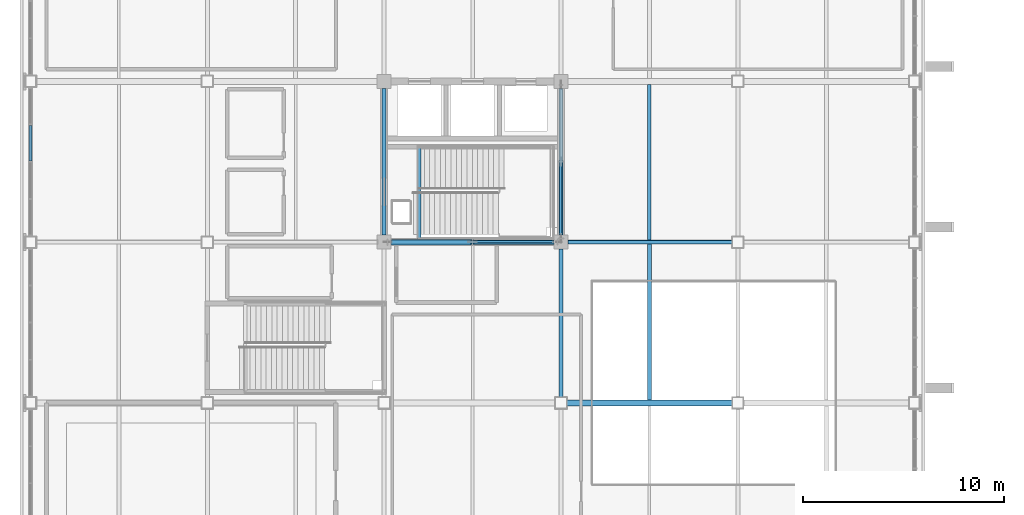
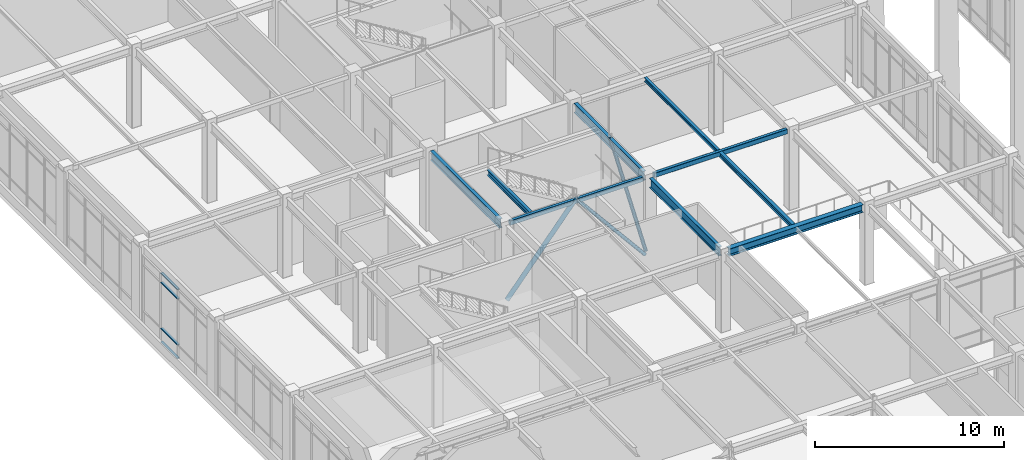
# One storey, part 37 of 184: 9 beams, 7 members, 1 element without a shape of its own.
"""IFC4 building model written with IfcOpenShell, lengths in metres."""

from ifc_helpers import new_model, si_unit, direction, frame, origin, origin_2d, place, context, subcontext, project, spatial, rectangle, hollow_rectangle, hollow_circle, i_section, extrude, material, material_profile, profile_set, type_object, element, aggregate, save


model = new_model("IFC4")

# Units and contexts
model_context = context("Model", 3, precision=1e-05, world=origin(), true_north=direction((0.0, 1.0)))
body_context = subcontext(model_context, "Body", "Model", "MODEL_VIEW")
ifc_project = project(units=[si_unit("LENGTHUNIT", "METRE"), si_unit("AREAUNIT", "SQUARE_METRE"), si_unit("VOLUMEUNIT", "CUBIC_METRE"), si_unit("PLANEANGLEUNIT", "RADIAN"), si_unit("MASSUNIT", "GRAM", prefix="KILO")], contexts=[model_context])

# Site, building, storey
site_placement = place(None, origin())
site = spatial("IfcSite", under=ifc_project, at=site_placement, CompositionType="ELEMENT")
building_placement = place(site_placement, origin())
building = spatial("IfcBuilding", under=site, at=building_placement, Name="Zhaolan Boulevard Law Courts", CompositionType="ELEMENT")
storey_placement = place(building_placement, frame((0.0, 0.0, 5.39990234375)))
storey = spatial("IfcBuildingStorey", under=building, at=storey_placement, Name="L01", CompositionType="ELEMENT", Elevation=5.39990234375)

# Members
ifc_material_1 = material(Name="Structural steel Q355B", Category="steel")
ifc_material_profile_1 = material_profile(ifc_material_1, hollow_circle(Radius=0.109619140625, WallThickness=0.008056640625, at=origin_2d()), Name="CHS219x8")
ifc_profile_set_1 = profile_set([ifc_material_profile_1], Name="Structural steel Q355B")
member_type_1 = type_object("IfcMemberType", Name="BRACE CHS219", PredefinedType="BRACE", material=ifc_profile_set_1)
member_1_placement = place(storey_placement, frame((26.219970703125, 46.0, 0.030029296875), z_axis=(-0.638239277889, 0.0, 0.769838050605), x_axis=(0.0, -1.0, 0.0)))
element("IfcMember", 1, at=member_1_placement, inside=storey, type_object=member_type_1, Name="Core Brace BR-W1-L01-S2", PredefinedType="BRACE", context=body_context, shape_type="SweptSolid", body=[
    extrude(hollow_circle(Radius=0.109619140625, WallThickness=0.008056640625, at=origin_2d()), origin(), (0.0, 0.0, 1.0), 6.61181640625),
])
member_2_placement = place(storey_placement, frame((26.39990234375, 46.179931640625, 0.030029296875), z_axis=(0.0, 0.600251625626, 0.799811218935), x_axis=(-1.0, 0.0, 0.0)))
element("IfcMember", 2, at=member_2_placement, inside=storey, type_object=member_type_1, Name="Core Brace BR-W1-L01-E1", PredefinedType="BRACE", context=body_context, shape_type="SweptSolid", body=[
    extrude(hollow_circle(Radius=0.109619140625, WallThickness=0.008056640625, at=origin_2d()), origin(), (0.0, 0.0, 1.0), 6.364013671875),
])
ifc_material_2 = material(Name="Structural steel Q355B", Category="steel")
ifc_material_profile_2 = material_profile(ifc_material_2, hollow_circle(Radius=0.136474609375, WallThickness=0.010009765625, at=origin_2d()), Name="CHS273x10")
ifc_profile_set_2 = profile_set([ifc_material_profile_2], Name="Structural steel Q355B")
member_type_2 = type_object("IfcMemberType", Name="BRACE CHS273", PredefinedType="BRACE", material=ifc_profile_set_2)
member_3_placement = place(storey_placement, frame((17.780029296875, 46.0, 0.030029296875), z_axis=(0.638239277889, 0.0, 0.769838050605), x_axis=(0.0, 1.0, 0.0)))
element("IfcMember", 3, at=member_3_placement, inside=storey, type_object=member_type_2, Name="Core Brace BR-W1-L01-S1", PredefinedType="BRACE", context=body_context, shape_type="SweptSolid", body=[
    extrude(hollow_circle(Radius=0.136474609375, WallThickness=0.010009765625, at=origin_2d()), origin(), (0.0, 0.0, 1.0), 6.61181640625),
])

# Curtain wall, members
ifc_material_3 = material(Name="Thermally broken aluminium and low-E glazing", Category="aluminium")
curtain_wall_type = type_object("IfcCurtainWallType", Name="CURTAIN WALL M21", PredefinedType="USERDEFINED", material=ifc_material_3)
curtain_wall_placement = place(storey_placement, origin())
curtain_wall = element("IfcCurtainWall", 4, at=curtain_wall_placement, inside=storey, type_object=curtain_wall_type, Name="Curtain Wall CW-L01-141", ObjectType="CURTAIN WALL", PredefinedType="USERDEFINED")
ifc_material_4 = material(Name="Fluorocarbon-coated aluminium 6063-T6", Category="aluminium")
ifc_material_profile_3 = material_profile(ifc_material_4, rectangle(XDim=0.139892578125, YDim=0.06494140625, at=origin_2d()), Name="AL65x140")
ifc_profile_set_3 = profile_set([ifc_material_profile_3], Name="Fluorocarbon-coated aluminium 6063-T6")
member_type_3 = type_object("IfcMemberType", Name="CWTRANSOM 65X140", PredefinedType="USERDEFINED", material=ifc_profile_set_3)
member_4_placement = place(storey_placement, frame((0.0, 51.81640625, 0.03271484375), z_axis=(0.0, -1.0, 0.0), x_axis=(1.0, 0.0, 0.0)))
member_4 = element("IfcMember", 5, at=member_4_placement, type_object=member_type_3, Name="CW-L01-141 transom 2.1", ObjectType="TRANSOM", PredefinedType="USERDEFINED", context=body_context, shape_type="SweptSolid", body=[
    extrude(rectangle(XDim=0.139892578125, YDim=0.06494140625, at=origin_2d()), origin(), (0.0, 0.0, 1.0), 1.783935546875),
])
member_5_placement = place(storey_placement, frame((0.0, 51.81640625, 0.900146484375), z_axis=(0.0, -1.0, 0.0), x_axis=(1.0, 0.0, 0.0)))
member_5 = element("IfcMember", 6, at=member_5_placement, type_object=member_type_3, Name="CW-L01-141 transom 2.2", ObjectType="TRANSOM", PredefinedType="USERDEFINED", context=body_context, shape_type="SweptSolid", body=[
    extrude(rectangle(XDim=0.139892578125, YDim=0.06494140625, at=origin_2d()), origin(), (0.0, 0.0, 1.0), 1.783935546875),
])
member_6_placement = place(storey_placement, frame((0.0, 51.81640625, 3.873046875), z_axis=(0.0, -1.0, 0.0), x_axis=(1.0, 0.0, 0.0)))
member_6 = element("IfcMember", 7, at=member_6_placement, type_object=member_type_3, Name="CW-L01-141 transom 2.3", ObjectType="TRANSOM", PredefinedType="USERDEFINED", context=body_context, shape_type="SweptSolid", body=[
    extrude(rectangle(XDim=0.139892578125, YDim=0.06494140625, at=origin_2d()), origin(), (0.0, 0.0, 1.0), 1.783935546875),
])
member_7_placement = place(storey_placement, frame((0.0, 51.81640625, 4.490478515625), z_axis=(0.0, -1.0, 0.0), x_axis=(1.0, 0.0, 0.0)))
member_7 = element("IfcMember", 8, at=member_7_placement, type_object=member_type_3, Name="CW-L01-141 transom 2.4", ObjectType="TRANSOM", PredefinedType="USERDEFINED", context=body_context, shape_type="SweptSolid", body=[
    extrude(rectangle(XDim=0.139892578125, YDim=0.06494140625, at=origin_2d()), origin(), (0.0, 0.0, 1.0), 1.783935546875),
])
aggregate(curtain_wall, [member_4, member_5, member_6, member_7])

# Beams
ifc_material_5 = material(Name="Structural steel Q355B", Category="steel")
ifc_material_profile_4 = material_profile(ifc_material_5, i_section(OverallWidth=0.300048828125, OverallDepth=0.488037109375, WebThickness=0.010986328125, FlangeThickness=0.01806640625, FilletRadius=0.02197265625, at=origin_2d()), Name="HM488x300")
ifc_profile_set_4 = profile_set([ifc_material_profile_4], Name="Structural steel Q355B")
beam_type_1 = type_object("IfcBeamType", Name="GIRDER HM500", PredefinedType="BEAM", material=ifc_profile_set_4)
beam_1_placement = place(storey_placement, frame((26.696044921875, 38.0, 4.89404296875), z_axis=(1.0, 0.0, 0.0), x_axis=(0.0, 1.0, 0.0)))
element("IfcBeam", 9, at=beam_1_placement, inside=storey, type_object=beam_type_1, Name="Beam BX-L02-4-5-F", PredefinedType="BEAM", context=body_context, shape_type="SweptSolid", body=[
    extrude(i_section(OverallWidth=0.300048828125, OverallDepth=0.488037109375, WebThickness=0.010986328125, FlangeThickness=0.01806640625, FilletRadius=0.02197265625, at=origin_2d()), origin(), (0.0, 0.0, 1.0), 8.2080078125),
])
ifc_material_6 = material(Name="Structural steel Q355B", Category="steel")
ifc_material_profile_5 = material_profile(ifc_material_6, i_section(OverallWidth=0.199951171875, OverallDepth=0.60009765625, WebThickness=0.010986328125, FlangeThickness=0.01708984375, FilletRadius=0.02001953125, at=origin_2d()), Name="HN600x200")
ifc_profile_set_5 = profile_set([ifc_material_profile_5], Name="Structural steel Q355B")
beam_type_2 = type_object("IfcBeamType", Name="GIRDER HN600", PredefinedType="BEAM", material=ifc_profile_set_5)
beam_2_placement = place(storey_placement, frame((17.60009765625, 46.345947265625, 4.838134765625), z_axis=(0.0, 1.0, 0.0), x_axis=(-1.0, 0.0, 0.0)))
element("IfcBeam", 10, at=beam_2_placement, inside=storey, type_object=beam_type_2, Name="Beam BY-L02-3-G-H", PredefinedType="BEAM", context=body_context, shape_type="SweptSolid", body=[
    extrude(i_section(OverallWidth=0.199951171875, OverallDepth=0.60009765625, WebThickness=0.010986328125, FlangeThickness=0.01708984375, FilletRadius=0.02001953125, at=origin_2d()), origin(), (0.0, 0.0, 1.0), 7.30810546875),
])
beam_3_placement = place(storey_placement, frame((26.39990234375, 38.2958984375, 4.838134765625), z_axis=(0.0, 1.0, 0.0), x_axis=(-1.0, 0.0, 0.0)))
element("IfcBeam", 11, at=beam_3_placement, inside=storey, type_object=beam_type_2, Name="Beam BY-L02-4-F-G", PredefinedType="BEAM", context=body_context, shape_type="SweptSolid", body=[
    extrude(i_section(OverallWidth=0.199951171875, OverallDepth=0.60009765625, WebThickness=0.010986328125, FlangeThickness=0.01708984375, FilletRadius=0.02001953125, at=origin_2d()), origin(), (0.0, 0.0, 1.0), 7.358154296875),
])
beam_4_placement = place(storey_placement, frame((26.39990234375, 46.345947265625, 4.838134765625), z_axis=(0.0, 1.0, 0.0), x_axis=(-1.0, 0.0, 0.0)))
element("IfcBeam", 12, at=beam_4_placement, inside=storey, type_object=beam_type_2, Name="Beam BY-L02-4-G-H", PredefinedType="BEAM", context=body_context, shape_type="SweptSolid", body=[
    extrude(i_section(OverallWidth=0.199951171875, OverallDepth=0.60009765625, WebThickness=0.010986328125, FlangeThickness=0.01708984375, FilletRadius=0.02001953125, at=origin_2d()), origin(), (0.0, 0.0, 1.0), 7.30810546875),
])
ifc_material_7 = material(Name="Structural steel Q355B", Category="steel")
ifc_material_profile_6 = material_profile(ifc_material_7, i_section(OverallWidth=0.175048828125, OverallDepth=0.243896484375, WebThickness=0.007080078125, FlangeThickness=0.010986328125, FilletRadius=0.012939453125, at=origin_2d()), Name="HM244x175")
ifc_profile_set_6 = profile_set([ifc_material_profile_6], Name="Structural steel Q355B")
beam_type_3 = type_object("IfcBeamType", Name="JOIST HM244", PredefinedType="JOIST", material=ifc_profile_set_6)
beam_5_placement = place(storey_placement, frame((30.800048828125, 46.095947265625, 5.01611328125), z_axis=(0.0, 1.0, 0.0), x_axis=(-1.0, 0.0, 0.0)))
element("IfcBeam", 13, at=beam_5_placement, inside=storey, type_object=beam_type_3, Name="Composite Joist J-L02-4G", PredefinedType="JOIST", context=body_context, shape_type="SweptSolid", body=[
    extrude(i_section(OverallWidth=0.175048828125, OverallDepth=0.243896484375, WebThickness=0.007080078125, FlangeThickness=0.010986328125, FilletRadius=0.012939453125, at=origin_2d()), origin(), (0.0, 0.0, 1.0), 7.758056640625),
])
ifc_material_8 = material(Name="Structural steel Q355B", Category="steel")
ifc_material_profile_7 = material_profile(ifc_material_8, i_section(OverallWidth=0.199951171875, OverallDepth=0.2939453125, WebThickness=0.008056640625, FlangeThickness=0.011962890625, FilletRadius=0.01611328125, at=origin_2d()), Name="HM294x200")
ifc_profile_set_7 = profile_set([ifc_material_profile_7], Name="Structural steel Q355B")
beam_type_4 = type_object("IfcBeamType", Name="JOIST HM294", PredefinedType="JOIST", material=ifc_profile_set_7)
beam_6_placement = place(storey_placement, frame((30.800048828125, 38.14599609375, 4.9912109375), z_axis=(0.0, 1.0, 0.0), x_axis=(-1.0, 0.0, 0.0)))
element("IfcBeam", 14, at=beam_6_placement, inside=storey, type_object=beam_type_4, Name="Composite Joist J-L02-4F", PredefinedType="JOIST", context=body_context, shape_type="SweptSolid", body=[
    extrude(i_section(OverallWidth=0.199951171875, OverallDepth=0.2939453125, WebThickness=0.008056640625, FlangeThickness=0.011962890625, FilletRadius=0.01611328125, at=origin_2d()), origin(), (0.0, 0.0, 1.0), 7.758056640625),
])
ifc_material_9 = material(Name="Structural steel Q355B", Category="steel")
ifc_material_profile_8 = material_profile(ifc_material_9, hollow_rectangle(XDim=0.199951171875, YDim=0.300048828125, WallThickness=0.011962890625, InnerFilletRadius=0.011962890625, OuterFilletRadius=0.02392578125, at=origin_2d()), Name="HSS300x200x12")
ifc_profile_set_8 = profile_set([ifc_material_profile_8], Name="Structural steel Q355B")
beam_type_5 = type_object("IfcBeamType", Name="SPANDREL HSS300", PredefinedType="SPANDREL", material=ifc_profile_set_8)
beam_7_placement = place(storey_placement, frame((17.946044921875, 46.0, 4.988037109375), z_axis=(1.0, 0.0, 0.0), x_axis=(0.0, 1.0, 0.0)))
element("IfcBeam", 15, at=beam_7_placement, inside=storey, type_object=beam_type_5, Name="Beam BX-L02-3-4-G", PredefinedType="SPANDREL", context=body_context, shape_type="SweptSolid", body=[
    extrude(hollow_rectangle(XDim=0.199951171875, YDim=0.300048828125, WallThickness=0.011962890625, InnerFilletRadius=0.011962890625, OuterFilletRadius=0.02392578125, at=origin_2d()), origin(), (0.0, 0.0, 1.0), 8.10791015625),
])
beam_8_placement = place(storey_placement, frame((26.74609375, 46.0, 4.988037109375), z_axis=(1.0, 0.0, 0.0), x_axis=(0.0, 1.0, 0.0)))
element("IfcBeam", 16, at=beam_8_placement, inside=storey, type_object=beam_type_5, Name="Beam BX-L02-4-5-G", PredefinedType="SPANDREL", context=body_context, shape_type="SweptSolid", body=[
    extrude(hollow_rectangle(XDim=0.199951171875, YDim=0.300048828125, WallThickness=0.011962890625, InnerFilletRadius=0.011962890625, OuterFilletRadius=0.02392578125, at=origin_2d()), origin(), (0.0, 0.0, 1.0), 8.157958984375),
])
ifc_material_10 = material(Name="Structural steel Q355B", Category="steel")
ifc_material_profile_9 = material_profile(ifc_material_10, i_section(OverallWidth=0.175048828125, OverallDepth=0.35009765625, WebThickness=0.007080078125, FlangeThickness=0.010986328125, FilletRadius=0.012939453125, at=origin_2d()), Name="HN350x175")
ifc_profile_set_9 = profile_set([ifc_material_profile_9], Name="Structural steel Q355B")
beam_type_6 = type_object("IfcBeamType", Name="STAIR TRIMMER HN350", PredefinedType="BEAM", material=ifc_profile_set_9)
beam_9_placement = place(storey_placement, frame((19.3349609375, 46.1650390625, 4.93505859375), z_axis=(0.0, 1.0, 0.0), x_axis=(-1.0, 0.0, 0.0)))
element("IfcBeam", 17, at=beam_9_placement, inside=storey, type_object=beam_type_6, Name="Stair Landing Trimmer Beam STB-ST01-L02", PredefinedType="BEAM", context=body_context, shape_type="SweptSolid", body=[
    extrude(i_section(OverallWidth=0.175048828125, OverallDepth=0.35009765625, WebThickness=0.007080078125, FlangeThickness=0.010986328125, FilletRadius=0.012939453125, at=origin_2d()), origin(), (0.0, 0.0, 1.0), 4.544921875),
])

save(model, "model.ifc")
